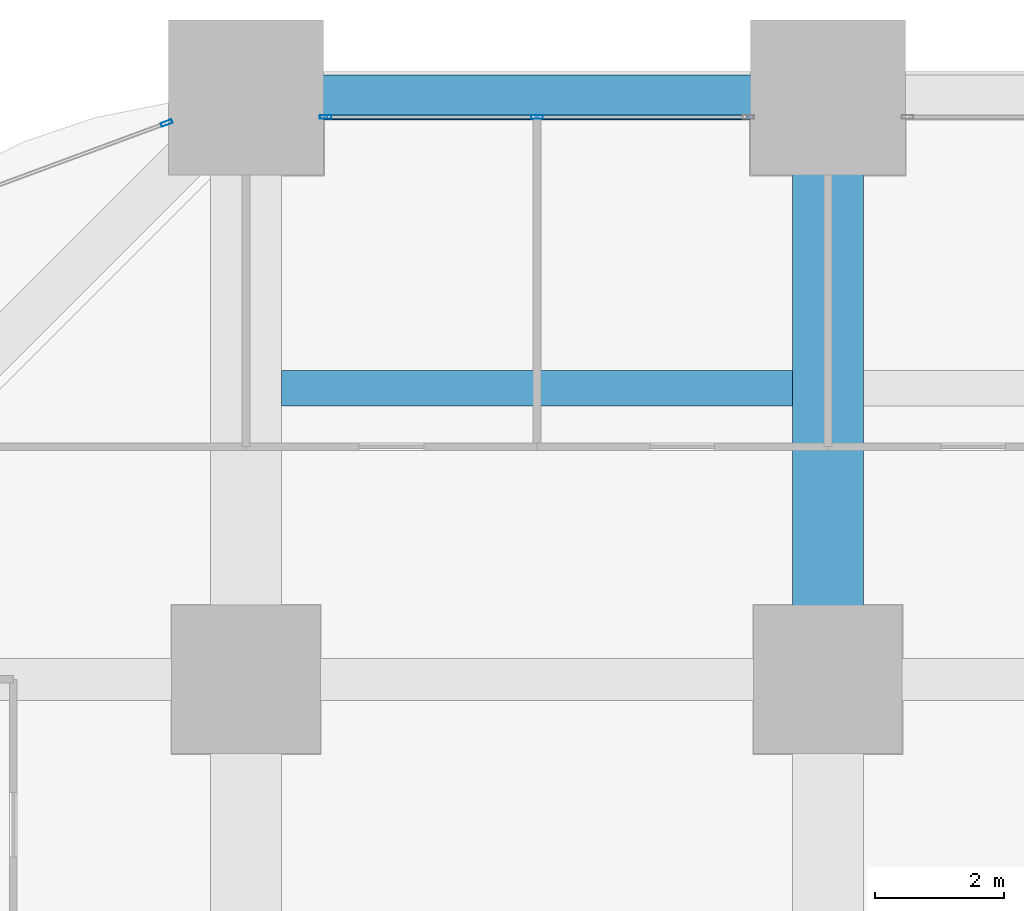
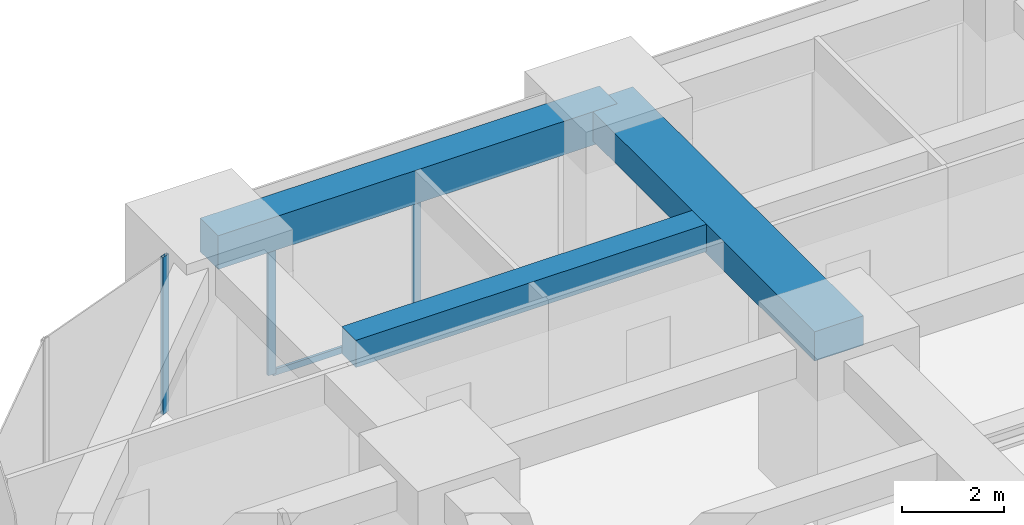
# One storey, part 28 of 44: 4 members, 3 beams, 2 elements without a shape of their own.
"""IFC4 building model written with IfcOpenShell, lengths in metres."""

from ifc_helpers import new_model, si_unit, direction, frame, origin, origin_2d, place, context, subcontext, project, spatial, rectangle, hollow_rectangle, extrude, material, material_profile, profile_set, type_object, element, aggregate, save


model = new_model("IFC4")

# Units and contexts
model_context = context("Model", 3, precision=1e-05, world=origin(), true_north=direction((0.0, 1.0)))
body_context = subcontext(model_context, "Body", "Model", "MODEL_VIEW")
ifc_project = project(units=[si_unit("LENGTHUNIT", "METRE"), si_unit("AREAUNIT", "SQUARE_METRE"), si_unit("VOLUMEUNIT", "CUBIC_METRE"), si_unit("PLANEANGLEUNIT", "RADIAN"), si_unit("MASSUNIT", "GRAM", prefix="KILO")], contexts=[model_context])

# Site, building, storey
site_placement = place(None, origin())
site = spatial("IfcSite", under=ifc_project, at=site_placement, CompositionType="ELEMENT")
building_placement = place(site_placement, origin())
building = spatial("IfcBuilding", under=site, at=building_placement, Name="Zorevar Civic Tower", CompositionType="ELEMENT")
storey_placement = place(building_placement, frame((0.0, 0.0, 31.800048828125)))
storey = spatial("IfcBuildingStorey", under=building, at=storey_placement, Name="L07", CompositionType="ELEMENT", Elevation=31.800048828125)

# Beams
ifc_material_1 = material(Name="Concrete C50/60", Category="concrete")
ifc_material_profile_1 = material_profile(ifc_material_1, rectangle(XDim=1.10009765625, YDim=0.699951171875, at=origin_2d()), Name="RC 1100x700")
ifc_profile_set_1 = profile_set([ifc_material_profile_1], Name="Concrete C50/60")
beam_type_1 = type_object("IfcBeamType", Name="Beam RC 1100x700", PredefinedType="BEAM", material=ifc_profile_set_1)
beam_1_placement = place(storey_placement, frame((18.0, 45.0, 3.39990234375), z_axis=(0.0, 1.0, 0.0), x_axis=(-1.0, 0.0, 0.0)))
element("IfcBeam", 1, at=beam_1_placement, inside=storey, type_object=beam_type_1, Name="Girder L08", PredefinedType="BEAM", context=body_context, shape_type="SweptSolid", body=[
    extrude(rectangle(XDim=1.10009765625, YDim=0.699951171875, at=origin_2d()), origin(), (0.0, 0.0, 1.0), 9.0),
])
ifc_material_2 = material(Name="Concrete C50/60", Category="concrete")
ifc_material_profile_2 = material_profile(ifc_material_2, rectangle(XDim=0.550048828125, YDim=0.64990234375, at=origin_2d()), Name="RC 550x650")
ifc_profile_set_2 = profile_set([ifc_material_profile_2], Name="Concrete C50/60")
beam_type_2 = type_object("IfcBeamType", Name="Beam RC 550x650", PredefinedType="BEAM", material=ifc_profile_set_2)
beam_2_placement = place(storey_placement, frame((9.550048828125, 49.5, 3.425048828125), z_axis=(1.0, 0.0, 0.0), x_axis=(0.0, 1.0, 0.0)))
element("IfcBeam", 2, at=beam_2_placement, inside=storey, type_object=beam_type_2, Name="Secondary beam L08", PredefinedType="BEAM", context=body_context, shape_type="SweptSolid", body=[
    extrude(rectangle(XDim=0.550048828125, YDim=0.64990234375, at=origin_2d()), origin(), (0.0, 0.0, 1.0), 7.89990234375),
])

# Curtain wall, members
ifc_material_3 = material(Name="Dark grey solar-control glass in black aluminium frame", Category="aluminium")
curtain_wall_type = type_object("IfcCurtainWallType", Name="Curtain wall CW2 low zone", PredefinedType="NOTDEFINED", material=ifc_material_3)
curtain_wall_1_placement = place(storey_placement, origin())
curtain_wall_1 = element("IfcCurtainWall", 3, at=curtain_wall_1_placement, inside=storey, type_object=curtain_wall_type, Name="CW2 L07", PredefinedType="NOTDEFINED")
ifc_material_4 = material(Name="Aluminium, black anodised", Category="aluminium")
ifc_material_profile_3 = material_profile(ifc_material_4, hollow_rectangle(XDim=0.06005859375, YDim=0.179931640625, WallThickness=0.00390625, at=origin_2d()), Name="AL 180x60x4")
ifc_profile_set_3 = profile_set([ifc_material_profile_3], Name="Aluminium, black anodised")
member_type_1 = type_object("IfcMemberType", Name="CW2 mullion AL 180x60x4", PredefinedType="MULLION", material=ifc_profile_set_3)
member_1_placement = place(storey_placement, frame((10.22998046875, 53.699951171875, 0.0), z_axis=(0.0, 0.0, 1.0), x_axis=(0.0, 1.0, 0.0)))
member_1 = element("IfcMember", 4, at=member_1_placement, type_object=member_type_1, Name="CW2 mullion 1", PredefinedType="MULLION", context=body_context, shape_type="SweptSolid", body=[
    extrude(hollow_rectangle(XDim=0.06005859375, YDim=0.179931640625, WallThickness=0.00390625, at=origin_2d()), origin(), (0.0, 0.0, 1.0), 2.949951171875),
])
member_2_placement = place(storey_placement, frame((13.5, 53.699951171875, 0.06005859375), z_axis=(0.0, 0.0, 1.0), x_axis=(0.0, 1.0, 0.0)))
member_2 = element("IfcMember", 5, at=member_2_placement, type_object=member_type_1, Name="CW2 mullion 2", PredefinedType="MULLION", context=body_context, shape_type="SweptSolid", body=[
    extrude(hollow_rectangle(XDim=0.06005859375, YDim=0.179931640625, WallThickness=0.00390625, at=origin_2d()), origin(), (0.0, 0.0, 1.0), 2.889892578125),
])

# Curtain wall, member
curtain_wall_2_placement = place(storey_placement, origin())
curtain_wall_2 = element("IfcCurtainWall", 6, at=curtain_wall_2_placement, inside=storey, type_object=curtain_wall_type, Name="CW2 L07", PredefinedType="NOTDEFINED")
member_3_placement = place(storey_placement, frame((7.77197265625, 53.6064453125, 0.0), z_axis=(0.0, 0.0, 1.0), x_axis=(0.346704012033, -0.937974588163, 0.0)))
member_3 = element("IfcMember", 7, at=member_3_placement, type_object=member_type_1, Name="CW2 mullion 1", PredefinedType="MULLION", context=body_context, shape_type="SweptSolid", body=[
    extrude(hollow_rectangle(XDim=0.06005859375, YDim=0.179931640625, WallThickness=0.00390625, at=origin_2d()), origin(), (0.0, 0.0, 1.0), 3.75),
])
aggregate(curtain_wall_2, [member_3])

# Member
ifc_material_5 = material(Name="Aluminium, black anodised", Category="aluminium")
ifc_material_profile_4 = material_profile(ifc_material_5, hollow_rectangle(XDim=0.06005859375, YDim=0.14990234375, WallThickness=0.00390625, at=origin_2d()), Name="AL 150x60x4")
ifc_profile_set_4 = profile_set([ifc_material_profile_4], Name="Aluminium, black anodised")
member_type_2 = type_object("IfcMemberType", Name="CW2 transom AL 150x60x4", PredefinedType="USERDEFINED", material=ifc_profile_set_4)
member_4_placement = place(storey_placement, frame((10.260009765625, 53.699951171875, 0.030029296875), z_axis=(1.0, 0.0, 0.0), x_axis=(0.0, 1.0, 0.0)))
member_4 = element("IfcMember", 8, at=member_4_placement, type_object=member_type_2, Name="CW2 sill transom", ObjectType="TRANSOM", PredefinedType="USERDEFINED", context=body_context, shape_type="SweptSolid", body=[
    extrude(hollow_rectangle(XDim=0.06005859375, YDim=0.14990234375, WallThickness=0.00390625, at=origin_2d()), origin(), (0.0, 0.0, 1.0), 6.47998046875),
])

aggregate(curtain_wall_1, [member_1, member_2, member_4])

# Beam
ifc_material_6 = material(Name="Concrete C50/60", Category="concrete")
ifc_material_profile_5 = material_profile(ifc_material_6, rectangle(XDim=0.699951171875, YDim=0.800048828125, at=origin_2d()), Name="RC 700x800")
ifc_profile_set_5 = profile_set([ifc_material_profile_5], Name="Concrete C50/60")
beam_type_3 = type_object("IfcBeamType", Name="Edge beam RC 700x800", PredefinedType="SPANDREL", material=ifc_profile_set_5)
beam_3_placement = place(storey_placement, frame((9.0, 54.0, 3.349853515625), z_axis=(1.0, 0.0, 0.0), x_axis=(0.0, 1.0, 0.0)))
element("IfcBeam", 9, at=beam_3_placement, inside=storey, type_object=beam_type_3, Name="Edge beam L08", PredefinedType="SPANDREL", context=body_context, shape_type="SweptSolid", body=[
    extrude(rectangle(XDim=0.699951171875, YDim=0.800048828125, at=origin_2d()), origin(), (0.0, 0.0, 1.0), 9.0),
])

save(model, "model.ifc")
